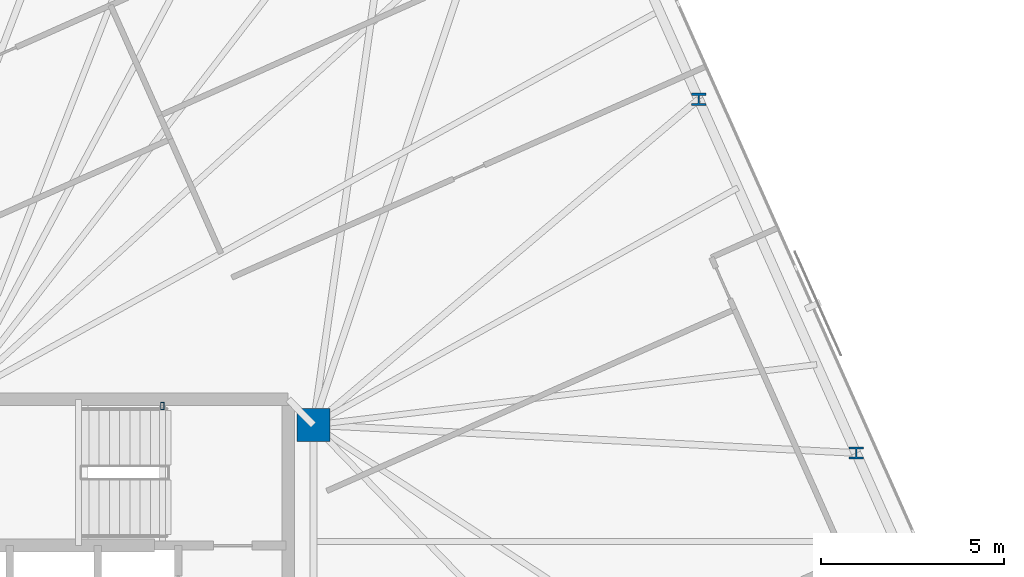
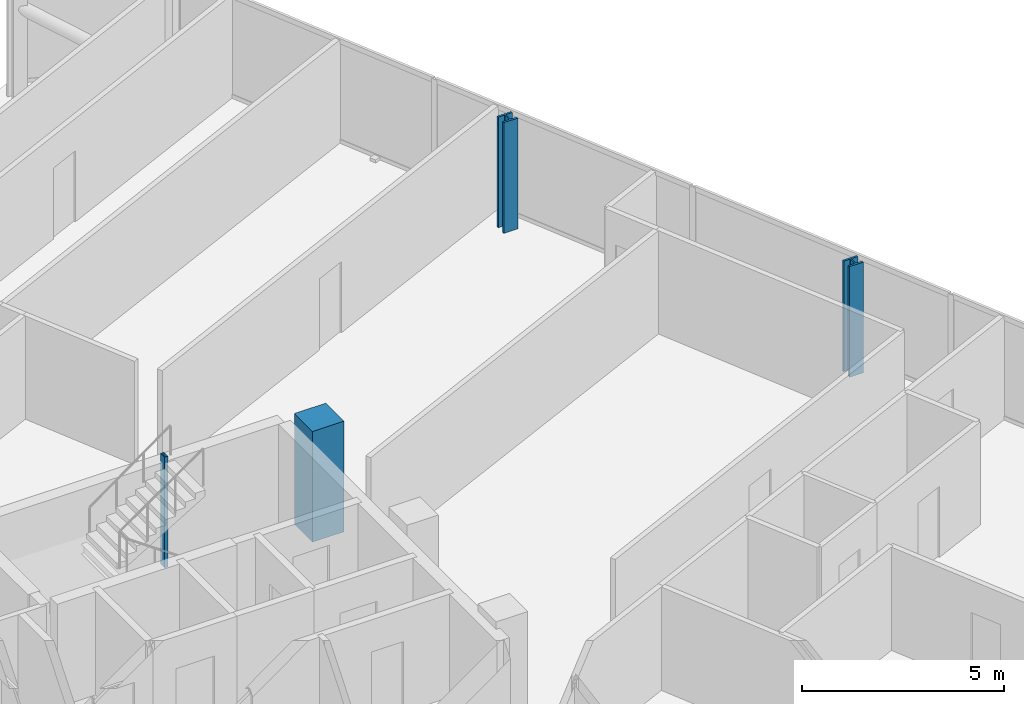
# One storey, part 3 of 19: 4 columns.
"""IFC4 building model written with IfcOpenShell, lengths in metres."""

from ifc_helpers import new_model, si_unit, direction, frame, origin, origin_2d, place, context, subcontext, project, spatial, rectangle, hollow_rectangle, i_section, extrude, material, material_profile, profile_set, type_object, element, save


model = new_model("IFC4")

# Units and contexts
model_context = context("Model", 3, precision=1e-05, world=origin(), true_north=direction((0.0, 1.0)))
body_context = subcontext(model_context, "Body", "Model", "MODEL_VIEW")
ifc_project = project(units=[si_unit("LENGTHUNIT", "METRE"), si_unit("AREAUNIT", "SQUARE_METRE"), si_unit("VOLUMEUNIT", "CUBIC_METRE"), si_unit("PLANEANGLEUNIT", "RADIAN"), si_unit("MASSUNIT", "GRAM", prefix="KILO")], contexts=[model_context])

# Site, building, storey
site_placement = place(None, origin())
site = spatial("IfcSite", under=ifc_project, at=site_placement, CompositionType="ELEMENT")
building_placement = place(site_placement, origin())
building = spatial("IfcBuilding", under=site, at=building_placement, Name="Menara Jurai Vektor", CompositionType="ELEMENT")
storey_placement = place(building_placement, frame((0.0, 0.0, 268.89990234375)))
storey = spatial("IfcBuildingStorey", under=building, at=storey_placement, Name="L72", CompositionType="ELEMENT", Elevation=268.89990234375)

# Columns
ifc_material_1 = material(Name="Concrete C50/60", Category="concrete")
ifc_material_profile_1 = material_profile(ifc_material_1, rectangle(XDim=0.89990234375, YDim=0.89990234375, at=origin_2d()), Name="RC 900x900")
ifc_profile_set_1 = profile_set([ifc_material_profile_1], Name="Concrete C50/60")
column_type_1 = type_object("IfcColumnType", Name="STR-COL-RC900", PredefinedType="COLUMN", material=ifc_profile_set_1)
column_1_placement = place(storey_placement, frame((15.25, 4.89990234375, 0.0), z_axis=(0.0, 0.0, 1.0), x_axis=(1.0, 0.0, 0.0)))
element("IfcColumn", 1, at=column_1_placement, inside=storey, type_object=column_type_1, Name="Core Spine Column CE-NE L72", PredefinedType="COLUMN", context=body_context, shape_type="SweptSolid", body=[
    extrude(rectangle(XDim=0.89990234375, YDim=0.89990234375, at=origin_2d()), origin(), (0.0, 0.0, 1.0), 3.35009765625),
])
ifc_material_2 = material(Name="Steel S355", Category="steel")
ifc_material_profile_2 = material_profile(ifc_material_2, hollow_rectangle(XDim=0.10009765625, YDim=0.199951171875, WallThickness=0.008056640625, at=origin_2d()), Name="RHS 200x100x8")
ifc_profile_set_2 = profile_set([ifc_material_profile_2], Name="Steel S355")
column_type_2 = type_object("IfcColumnType", Name="STR-COL-STAIR", PredefinedType="COLUMN", material=ifc_profile_set_2)
column_2_placement = place(storey_placement, frame((11.1201171875, 5.419921875, 0.0), z_axis=(0.0, 0.0, 1.0), x_axis=(1.0, 0.0, 0.0)))
element("IfcColumn", 2, at=column_2_placement, inside=storey, type_object=column_type_2, Name="Stair Well Header Column ST2-P2 L72", PredefinedType="COLUMN", context=body_context, shape_type="SweptSolid", body=[
    extrude(hollow_rectangle(XDim=0.10009765625, YDim=0.199951171875, WallThickness=0.008056640625, at=origin_2d()), origin(), (0.0, 0.0, 1.0), 3.35009765625),
])
ifc_material_3 = material(Name="Steel S460", Category="steel")
ifc_material_profile_3 = material_profile(ifc_material_3, i_section(OverallWidth=0.40087890625, OverallDepth=0.3349609375, WebThickness=0.035888671875, FlangeThickness=0.05810546875, FilletRadius=0.014892578125, at=origin_2d()), Name="HD 400x463")
ifc_profile_set_3 = profile_set([ifc_material_profile_3], Name="Steel S460")
column_type_3 = type_object("IfcColumnType", Name="STR-EXO-BLK5", PredefinedType="COLUMN", material=ifc_profile_set_3)
for number, where, z_axis, x_axis, name in (
    (3, (30.086181640625, 4.13330078125, 0.0), (0.0, 0.0, 1.0), (1.0, 0.0, 0.0), "Exoskeleton Column BLK5-E2 L72"),
    (4, (25.781005859375, 13.80322265625, 0.0), (0.0, 0.0, 1.0), (1.0, 0.0, 0.0), "Exoskeleton Column BLK5-E3 L72"),
):
    element("IfcColumn", number, at=place(storey_placement, frame(where, z_axis=z_axis, x_axis=x_axis)), inside=storey, type_object=column_type_3, Name=name, PredefinedType="COLUMN", context=body_context, shape_type="SweptSolid", body=[
        extrude(i_section(OverallWidth=0.40087890625, OverallDepth=0.3349609375, WebThickness=0.035888671875, FlangeThickness=0.05810546875, FilletRadius=0.014892578125, at=origin_2d()), origin(), (0.0, 0.0, 1.0), 3.35009765625),
    ])

save(model, "model.ifc")
